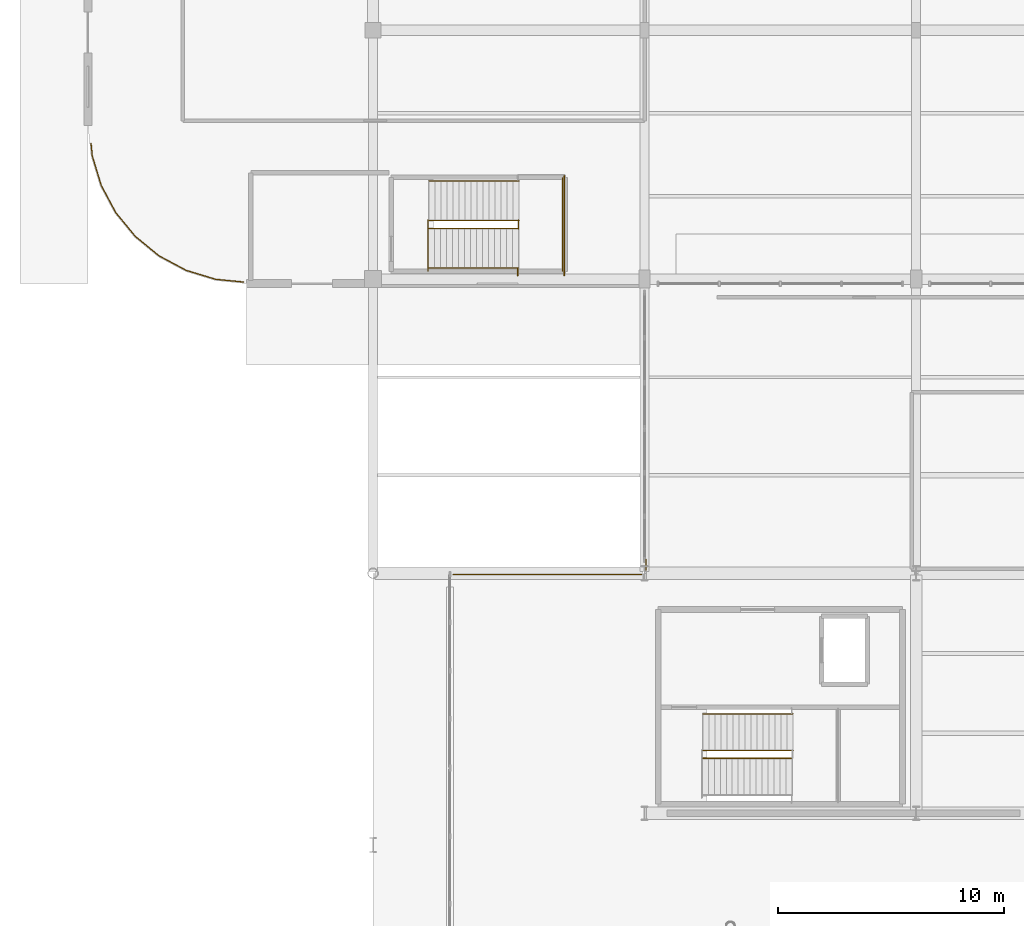
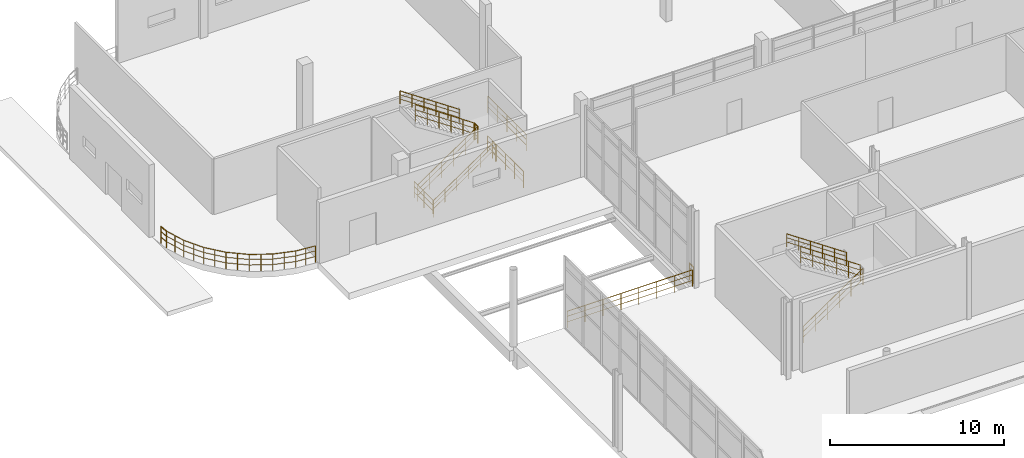
# One storey, part 74 of 85: 22 railings.
"""IFC4 building model written with IfcOpenShell, lengths in metres."""

from ifc_helpers import new_model, si_unit, direction, frame, origin, origin_2d, place, context, subcontext, project, spatial, circle, extrude, material, layer, layer_set, type_object, element, save


model = new_model("IFC4")

# Units and contexts
model_context = context("Model", 3, precision=1e-05, world=origin(), true_north=direction((0.0, 1.0)))
body_context = subcontext(model_context, "Body", "Model", "MODEL_VIEW")
ifc_project = project(units=[si_unit("LENGTHUNIT", "METRE"), si_unit("AREAUNIT", "SQUARE_METRE"), si_unit("VOLUMEUNIT", "CUBIC_METRE"), si_unit("PLANEANGLEUNIT", "RADIAN"), si_unit("MASSUNIT", "GRAM", prefix="KILO"), si_unit("THERMODYNAMICTEMPERATUREUNIT", "KELVIN"), si_unit("POWERUNIT", "WATT")], contexts=[model_context])

# Site, building, storey
site_placement = place(None, origin())
site = spatial("IfcSite", under=ifc_project, at=site_placement, CompositionType="ELEMENT")
building_placement = place(site_placement, origin())
building = spatial("IfcBuilding", under=site, at=building_placement, Name="Solmara Park Aquatics Centre", CompositionType="ELEMENT")
storey_placement = place(building_placement, origin())
storey = spatial("IfcBuildingStorey", under=building, at=storey_placement, Name="L00", CompositionType="ELEMENT", Elevation=0.0)

# Railings
ifc_material_1 = material(Name="Brushed Marine-Grade Stainless Steel 316L Handrail", Category="steel")
ifc_layer_1 = layer(ifc_material_1, 0.044921875, Name="Brushed Marine-Grade Stainless Steel 316L Handrail")
ifc_layer_set_1 = layer_set([ifc_layer_1], Name="Brushed Marine-Grade Stainless Steel 316L Handrail")
railing_type_1 = type_object("IfcRailingType", Name="ARC-RL-HND090", PredefinedType="HANDRAIL", material=ifc_layer_set_1)
railing_1_placement = place(storey_placement, frame((31.155029296875, 66.389892578125, 2.868896484375)))
element("IfcRailing", 1, at=railing_1_placement, inside=storey, type_object=railing_type_1, Name="ST-04 Protected Exit Stair (L00 to L01) Flight 2 Outer Handrail", PredefinedType="HANDRAIL", context=body_context, shape_type="SweptSolid", body=[
    extrude(circle(Radius=0.02392578125, at=origin_2d()), frame((0.0, 0.0, 0.89599609375), z_axis=(-0.827227830126, 0.0, 0.561866636369), x_axis=(0.0, -1.0, 0.0)), (0.0, 0.0, 1.0), 4.805419921875),
    extrude(circle(Radius=0.01416015625, at=origin_2d()), frame((0.0, 0.0, 0.322021484375), z_axis=(-0.827227830126, 0.0, 0.561866636369), x_axis=(0.0, -1.0, 0.0)), (0.0, 0.0, 1.0), 4.805419921875),
    extrude(circle(Radius=0.01416015625, at=origin_2d()), frame((0.0, 0.0, 0.62548828125), z_axis=(-0.827227830126, 0.0, 0.561866636369), x_axis=(0.0, -1.0, 0.0)), (0.0, 0.0, 1.0), 4.805419921875),
    extrude(circle(Radius=0.02099609375, at=origin_2d()), origin(), (0.0, 0.0, 1.0), 0.871826171875),
    extrude(circle(Radius=0.02099609375, at=origin_2d()), frame((-0.794921875, 0.0, 0.5400390625)), (0.0, 0.0, 1.0), 0.871826171875),
    extrude(circle(Radius=0.02099609375, at=origin_2d()), frame((-1.590087890625, 0.0, 1.080078125)), (0.0, 0.0, 1.0), 0.871826171875),
    extrude(circle(Radius=0.02099609375, at=origin_2d()), frame((-2.385009765625, 0.0, 1.619873046875)), (0.0, 0.0, 1.0), 0.871826171875),
    extrude(circle(Radius=0.02099609375, at=origin_2d()), frame((-3.18017578125, 0.0, 2.159912109375)), (0.0, 0.0, 1.0), 0.871826171875),
    extrude(circle(Radius=0.02099609375, at=origin_2d()), frame((-3.97509765625, 0.0, 2.699951171875)), (0.0, 0.0, 1.0), 0.871826171875),
])
railing_2_placement = place(storey_placement, frame((15.050048828125, 86.10009765625, 0.168701171875)))
element("IfcRailing", 2, at=railing_2_placement, inside=storey, type_object=railing_type_1, Name="West Changing Escape Stair ST-08 (L00-L01) Flight 1 Outer Handrail", PredefinedType="HANDRAIL", context=body_context, shape_type="SweptSolid", body=[
    extrude(circle(Radius=0.02392578125, at=origin_2d()), frame((0.0, 0.0, 0.89599609375), z_axis=(0.82718817395, 0.0, 0.56192501713), x_axis=(0.0, 1.0, 0.0)), (0.0, 0.0, 1.0), 4.80517578125),
    extrude(circle(Radius=0.01416015625, at=origin_2d()), frame((0.0, 0.0, 0.322021484375), z_axis=(0.82718817395, 0.0, 0.56192501713), x_axis=(0.0, 1.0, 0.0)), (0.0, 0.0, 1.0), 4.80517578125),
    extrude(circle(Radius=0.01416015625, at=origin_2d()), frame((0.0, 0.0, 0.62548828125), z_axis=(0.82718817395, 0.0, 0.56192501713), x_axis=(0.0, 1.0, 0.0)), (0.0, 0.0, 1.0), 4.80517578125),
    extrude(circle(Radius=0.02099609375, at=origin_2d()), origin(), (0.0, 0.0, 1.0), 0.871826171875),
    extrude(circle(Radius=0.02099609375, at=origin_2d()), frame((0.794921875, 0.0, 0.5400390625)), (0.0, 0.0, 1.0), 0.871826171875),
    extrude(circle(Radius=0.02099609375, at=origin_2d()), frame((1.58984375, 0.0, 1.080078125)), (0.0, 0.0, 1.0), 0.871826171875),
    extrude(circle(Radius=0.02099609375, at=origin_2d()), frame((2.385009765625, 0.0, 1.6201171875)), (0.0, 0.0, 1.0), 0.871826171875),
    extrude(circle(Radius=0.02099609375, at=origin_2d()), frame((3.179931640625, 0.0, 2.16015625)), (0.0, 0.0, 1.0), 0.871826171875),
    extrude(circle(Radius=0.02099609375, at=origin_2d()), frame((3.974853515625, 0.0, 2.7001953125)), (0.0, 0.0, 1.0), 0.871826171875),
])
railing_3_placement = place(storey_placement, frame((19.054931640625, 89.93994140625, 2.868896484375)))
element("IfcRailing", 3, at=railing_3_placement, inside=storey, type_object=railing_type_1, Name="West Changing Escape Stair ST-08 (L00-L01) Flight 2 Outer Handrail", PredefinedType="HANDRAIL", context=body_context, shape_type="SweptSolid", body=[
    extrude(circle(Radius=0.02392578125, at=origin_2d()), frame((0.0, 0.0, 0.89599609375), z_axis=(-0.827211789872, 0.0, 0.56189025147), x_axis=(0.0, -1.0, 0.0)), (0.0, 0.0, 1.0), 4.80517578125),
    extrude(circle(Radius=0.01416015625, at=origin_2d()), frame((0.0, 0.0, 0.322021484375), z_axis=(-0.827211789872, 0.0, 0.56189025147), x_axis=(0.0, -1.0, 0.0)), (0.0, 0.0, 1.0), 4.80517578125),
    extrude(circle(Radius=0.01416015625, at=origin_2d()), frame((0.0, 0.0, 0.62548828125), z_axis=(-0.827211789872, 0.0, 0.56189025147), x_axis=(0.0, -1.0, 0.0)), (0.0, 0.0, 1.0), 4.80517578125),
    extrude(circle(Radius=0.02099609375, at=origin_2d()), origin(), (0.0, 0.0, 1.0), 0.871826171875),
    extrude(circle(Radius=0.02099609375, at=origin_2d()), frame((-0.794921875, 0.0, 0.5400390625)), (0.0, 0.0, 1.0), 0.871826171875),
    extrude(circle(Radius=0.02099609375, at=origin_2d()), frame((-1.58984375, 0.0, 1.080078125)), (0.0, 0.0, 1.0), 0.871826171875),
    extrude(circle(Radius=0.02099609375, at=origin_2d()), frame((-2.385009765625, 0.0, 1.619873046875)), (0.0, 0.0, 1.0), 0.871826171875),
    extrude(circle(Radius=0.02099609375, at=origin_2d()), frame((-3.179931640625, 0.0, 2.159912109375)), (0.0, 0.0, 1.0), 0.871826171875),
    extrude(circle(Radius=0.02099609375, at=origin_2d()), frame((-3.974853515625, 0.0, 2.699951171875)), (0.0, 0.0, 1.0), 0.871826171875),
])
ifc_material_2 = material(Name="Toughened Glass and Stainless Steel Stand Guardrail", Category="steel")
ifc_layer_2 = layer(ifc_material_2, 0.06005859375, Name="Toughened Glass and Stainless Steel Stand Guardrail")
ifc_layer_set_2 = layer_set([ifc_layer_2], Name="Toughened Glass and Stainless Steel Stand Guardrail")
railing_type_2 = type_object("IfcRailingType", Name="ARC-RL-STD110", PredefinedType="GUARDRAIL", material=ifc_layer_set_2)
railing_4_placement = place(storey_placement, frame((16.139892578125, 72.5400390625, 0.0)))
element("IfcRailing", 4, at=railing_4_placement, inside=storey, type_object=railing_type_2, Name="L00 Slab Edge Guardrail 001", PredefinedType="GUARDRAIL", context=body_context, shape_type="SweptSolid", body=[
    extrude(circle(Radius=0.02392578125, at=origin_2d()), frame((0.0, 0.0, 1.15576171875), z_axis=(1.0, 0.0, 0.0), x_axis=(0.0, 1.0, 0.0)), (0.0, 0.0, 1.0), 8.333740234375),
    extrude(circle(Radius=0.01416015625, at=origin_2d()), frame((0.0, 0.0, 0.4130859375), z_axis=(1.0, 0.0, 0.0), x_axis=(0.0, 1.0, 0.0)), (0.0, 0.0, 1.0), 8.333740234375),
    extrude(circle(Radius=0.01416015625, at=origin_2d()), frame((0.0, 0.0, 0.80224609375), z_axis=(1.0, 0.0, 0.0), x_axis=(0.0, 1.0, 0.0)), (0.0, 0.0, 1.0), 8.333740234375),
    extrude(circle(Radius=0.02099609375, at=origin_2d()), origin(), (0.0, 0.0, 1.0), 1.1318359375),
    extrude(circle(Radius=0.02099609375, at=origin_2d()), frame((1.1904296875, 0.0, 0.0)), (0.0, 0.0, 1.0), 1.1318359375),
    extrude(circle(Radius=0.02099609375, at=origin_2d()), frame((2.381103515625, 0.0, 0.0)), (0.0, 0.0, 1.0), 1.1318359375),
    extrude(circle(Radius=0.02099609375, at=origin_2d()), frame((3.571533203125, 0.0, 0.0)), (0.0, 0.0, 1.0), 1.1318359375),
    extrude(circle(Radius=0.02099609375, at=origin_2d()), frame((4.76220703125, 0.0, 0.0)), (0.0, 0.0, 1.0), 1.1318359375),
    extrude(circle(Radius=0.02099609375, at=origin_2d()), frame((5.95263671875, 0.0, 0.0)), (0.0, 0.0, 1.0), 1.1318359375),
    extrude(circle(Radius=0.02099609375, at=origin_2d()), frame((7.143310546875, 0.0, 0.0)), (0.0, 0.0, 1.0), 1.1318359375),
    extrude(circle(Radius=0.02099609375, at=origin_2d()), frame((8.333740234375, 0.0, 0.0)), (0.0, 0.0, 1.0), 1.1318359375),
])
railing_5_placement = place(storey_placement, frame((6.880126953125, 85.47216796875, 0.0)))
element("IfcRailing", 5, at=railing_5_placement, inside=storey, type_object=railing_type_2, Name="L00 Slab Edge Guardrail 019", PredefinedType="GUARDRAIL", context=body_context, shape_type="SweptSolid", body=[
    extrude(circle(Radius=0.02392578125, at=origin_2d()), frame((0.0, 0.0, 1.15576171875), z_axis=(-0.995199611942, 0.097865889817, 0.0), x_axis=(-0.097865889817, -0.995199611942, 0.0)), (0.0, 0.0, 1.0), 1.23974609375),
    extrude(circle(Radius=0.01416015625, at=origin_2d()), frame((0.0, 0.0, 0.4130859375), z_axis=(-0.995199611942, 0.097865889817, 0.0), x_axis=(-0.097865889817, -0.995199611942, 0.0)), (0.0, 0.0, 1.0), 1.23974609375),
    extrude(circle(Radius=0.01416015625, at=origin_2d()), frame((0.0, 0.0, 0.80224609375), z_axis=(-0.995199611942, 0.097865889817, 0.0), x_axis=(-0.097865889817, -0.995199611942, 0.0)), (0.0, 0.0, 1.0), 1.23974609375),
    extrude(circle(Radius=0.02099609375, at=origin_2d()), origin(), (0.0, 0.0, 1.0), 1.1318359375),
    extrude(circle(Radius=0.02099609375, at=origin_2d()), frame((-0.616943359375, 0.060546875, 0.0)), (0.0, 0.0, 1.0), 1.1318359375),
    extrude(circle(Radius=0.02099609375, at=origin_2d()), frame((-1.23388671875, 0.121337890625, 0.0)), (0.0, 0.0, 1.0), 1.1318359375),
])
railing_6_placement = place(storey_placement, frame((5.646240234375, 85.593505859375, 0.0)))
element("IfcRailing", 6, at=railing_6_placement, inside=storey, type_object=railing_type_2, Name="L00 Slab Edge Guardrail 020", PredefinedType="GUARDRAIL", context=body_context, shape_type="SweptSolid", body=[
    extrude(circle(Radius=0.02392578125, at=origin_2d()), frame((0.0, 0.0, 1.15576171875), z_axis=(-0.956927767247, 0.29032610677, 0.0), x_axis=(-0.29032610677, -0.956927767247, 0.0)), (0.0, 0.0, 1.0), 1.360595703125),
    extrude(circle(Radius=0.01416015625, at=origin_2d()), frame((0.0, 0.0, 0.4130859375), z_axis=(-0.956927767247, 0.29032610677, 0.0), x_axis=(-0.29032610677, -0.956927767247, 0.0)), (0.0, 0.0, 1.0), 1.360595703125),
    extrude(circle(Radius=0.01416015625, at=origin_2d()), frame((0.0, 0.0, 0.80224609375), z_axis=(-0.956927767247, 0.29032610677, 0.0), x_axis=(-0.29032610677, -0.956927767247, 0.0)), (0.0, 0.0, 1.0), 1.360595703125),
    extrude(circle(Radius=0.02099609375, at=origin_2d()), origin(), (0.0, 0.0, 1.0), 1.1318359375),
    extrude(circle(Radius=0.02099609375, at=origin_2d()), frame((-0.65087890625, 0.197509765625, 0.0)), (0.0, 0.0, 1.0), 1.1318359375),
    extrude(circle(Radius=0.02099609375, at=origin_2d()), frame((-1.302001953125, 0.39501953125, 0.0)), (0.0, 0.0, 1.0), 1.1318359375),
])
railing_7_placement = place(storey_placement, frame((4.34423828125, 85.988525390625, 0.0)))
element("IfcRailing", 7, at=railing_7_placement, inside=storey, type_object=railing_type_2, Name="L00 Slab Edge Guardrail 021", PredefinedType="GUARDRAIL", context=body_context, shape_type="SweptSolid", body=[
    extrude(circle(Radius=0.02392578125, at=origin_2d()), frame((0.0, 0.0, 1.15576171875), z_axis=(-0.881890502495, 0.47145428369, 0.0), x_axis=(-0.47145428369, -0.881890502495, 0.0)), (0.0, 0.0, 1.0), 1.3603515625),
    extrude(circle(Radius=0.01416015625, at=origin_2d()), frame((0.0, 0.0, 0.4130859375), z_axis=(-0.881890502495, 0.47145428369, 0.0), x_axis=(-0.47145428369, -0.881890502495, 0.0)), (0.0, 0.0, 1.0), 1.3603515625),
    extrude(circle(Radius=0.01416015625, at=origin_2d()), frame((0.0, 0.0, 0.80224609375), z_axis=(-0.881890502495, 0.47145428369, 0.0), x_axis=(-0.47145428369, -0.881890502495, 0.0)), (0.0, 0.0, 1.0), 1.3603515625),
    extrude(circle(Radius=0.02099609375, at=origin_2d()), origin(), (0.0, 0.0, 1.0), 1.1318359375),
    extrude(circle(Radius=0.02099609375, at=origin_2d()), frame((-0.599853515625, 0.32080078125, 0.0)), (0.0, 0.0, 1.0), 1.1318359375),
    extrude(circle(Radius=0.02099609375, at=origin_2d()), frame((-1.19970703125, 0.641357421875, 0.0)), (0.0, 0.0, 1.0), 1.1318359375),
])
railing_8_placement = place(storey_placement, frame((3.14453125, 86.6298828125, 0.0)))
element("IfcRailing", 8, at=railing_8_placement, inside=storey, type_object=railing_type_2, Name="L00 Slab Edge Guardrail 022", PredefinedType="GUARDRAIL", context=body_context, shape_type="SweptSolid", body=[
    extrude(circle(Radius=0.02392578125, at=origin_2d()), frame((0.0, 0.0, 1.15576171875), z_axis=(-0.772980841347, 0.634429364792, 0.0), x_axis=(-0.634429364792, -0.772980841347, 0.0)), (0.0, 0.0, 1.0), 1.3603515625),
    extrude(circle(Radius=0.01416015625, at=origin_2d()), frame((0.0, 0.0, 0.4130859375), z_axis=(-0.772980841347, 0.634429364792, 0.0), x_axis=(-0.634429364792, -0.772980841347, 0.0)), (0.0, 0.0, 1.0), 1.3603515625),
    extrude(circle(Radius=0.01416015625, at=origin_2d()), frame((0.0, 0.0, 0.80224609375), z_axis=(-0.772980841347, 0.634429364792, 0.0), x_axis=(-0.634429364792, -0.772980841347, 0.0)), (0.0, 0.0, 1.0), 1.3603515625),
    extrude(circle(Radius=0.02099609375, at=origin_2d()), origin(), (0.0, 0.0, 1.0), 1.1318359375),
    extrude(circle(Radius=0.02099609375, at=origin_2d()), frame((-0.52587890625, 0.431640625, 0.0)), (0.0, 0.0, 1.0), 1.1318359375),
    extrude(circle(Radius=0.02099609375, at=origin_2d()), frame((-1.051513671875, 0.863037109375, 0.0)), (0.0, 0.0, 1.0), 1.1318359375),
])
railing_9_placement = place(storey_placement, frame((2.093017578125, 87.492919921875, 0.0)))
element("IfcRailing", 9, at=railing_9_placement, inside=storey, type_object=railing_type_2, Name="L00 Slab Edge Guardrail 023", PredefinedType="GUARDRAIL", context=body_context, shape_type="SweptSolid", body=[
    extrude(circle(Radius=0.02392578125, at=origin_2d()), frame((0.0, 0.0, 1.15576171875), z_axis=(-0.634536580186, 0.772892831126, 0.0), x_axis=(-0.772892831126, -0.634536580186, 0.0)), (0.0, 0.0, 1.0), 1.360595703125),
    extrude(circle(Radius=0.01416015625, at=origin_2d()), frame((0.0, 0.0, 0.4130859375), z_axis=(-0.634536580186, 0.772892831126, 0.0), x_axis=(-0.772892831126, -0.634536580186, 0.0)), (0.0, 0.0, 1.0), 1.360595703125),
    extrude(circle(Radius=0.01416015625, at=origin_2d()), frame((0.0, 0.0, 0.80224609375), z_axis=(-0.634536580186, 0.772892831126, 0.0), x_axis=(-0.772892831126, -0.634536580186, 0.0)), (0.0, 0.0, 1.0), 1.360595703125),
    extrude(circle(Radius=0.02099609375, at=origin_2d()), origin(), (0.0, 0.0, 1.0), 1.1318359375),
    extrude(circle(Radius=0.02099609375, at=origin_2d()), frame((-0.431640625, 0.52587890625, 0.0)), (0.0, 0.0, 1.0), 1.1318359375),
    extrude(circle(Radius=0.02099609375, at=origin_2d()), frame((-0.86328125, 1.051513671875, 0.0)), (0.0, 0.0, 1.0), 1.1318359375),
])
railing_10_placement = place(storey_placement, frame((1.229736328125, 88.54443359375, 0.0)))
element("IfcRailing", 10, at=railing_10_placement, inside=storey, type_object=railing_type_2, Name="L00 Slab Edge Guardrail 024", PredefinedType="GUARDRAIL", context=body_context, shape_type="SweptSolid", body=[
    extrude(circle(Radius=0.02392578125, at=origin_2d()), frame((0.0, 0.0, 1.15576171875), z_axis=(-0.471379677501, 0.881930382535, 0.0), x_axis=(-0.881930382535, -0.471379677501, 0.0)), (0.0, 0.0, 1.0), 1.360595703125),
    extrude(circle(Radius=0.01416015625, at=origin_2d()), frame((0.0, 0.0, 0.4130859375), z_axis=(-0.471379677501, 0.881930382535, 0.0), x_axis=(-0.881930382535, -0.471379677501, 0.0)), (0.0, 0.0, 1.0), 1.360595703125),
    extrude(circle(Radius=0.01416015625, at=origin_2d()), frame((0.0, 0.0, 0.80224609375), z_axis=(-0.471379677501, 0.881930382535, 0.0), x_axis=(-0.881930382535, -0.471379677501, 0.0)), (0.0, 0.0, 1.0), 1.360595703125),
    extrude(circle(Radius=0.02099609375, at=origin_2d()), origin(), (0.0, 0.0, 1.0), 1.1318359375),
    extrude(circle(Radius=0.02099609375, at=origin_2d()), frame((-0.32080078125, 0.60009765625, 0.0)), (0.0, 0.0, 1.0), 1.1318359375),
    extrude(circle(Radius=0.02099609375, at=origin_2d()), frame((-0.641357421875, 1.199951171875, 0.0)), (0.0, 0.0, 1.0), 1.1318359375),
])
railing_11_placement = place(storey_placement, frame((0.58837890625, 89.744384765625, 0.0)))
element("IfcRailing", 11, at=railing_11_placement, inside=storey, type_object=railing_type_2, Name="L00 Slab Edge Guardrail 025", PredefinedType="GUARDRAIL", context=body_context, shape_type="SweptSolid", body=[
    extrude(circle(Radius=0.02392578125, at=origin_2d()), frame((0.0, 0.0, 1.15576171875), z_axis=(-0.290211619235, 0.956962494595, 0.0), x_axis=(-0.956962494595, -0.290211619235, 0.0)), (0.0, 0.0, 1.0), 1.3603515625),
    extrude(circle(Radius=0.01416015625, at=origin_2d()), frame((0.0, 0.0, 0.4130859375), z_axis=(-0.290211619235, 0.956962494595, 0.0), x_axis=(-0.956962494595, -0.290211619235, 0.0)), (0.0, 0.0, 1.0), 1.3603515625),
    extrude(circle(Radius=0.01416015625, at=origin_2d()), frame((0.0, 0.0, 0.80224609375), z_axis=(-0.290211619235, 0.956962494595, 0.0), x_axis=(-0.956962494595, -0.290211619235, 0.0)), (0.0, 0.0, 1.0), 1.3603515625),
    extrude(circle(Radius=0.02099609375, at=origin_2d()), origin(), (0.0, 0.0, 1.0), 1.1318359375),
    extrude(circle(Radius=0.02099609375, at=origin_2d()), frame((-0.197265625, 0.65087890625, 0.0)), (0.0, 0.0, 1.0), 1.1318359375),
    extrude(circle(Radius=0.02099609375, at=origin_2d()), frame((-0.394775390625, 1.3017578125, 0.0)), (0.0, 0.0, 1.0), 1.1318359375),
])
railing_12_placement = place(storey_placement, frame((0.193603515625, 91.046142578125, 0.0)))
element("IfcRailing", 12, at=railing_12_placement, inside=storey, type_object=railing_type_2, Name="L00 Slab Edge Guardrail 026", PredefinedType="GUARDRAIL", context=body_context, shape_type="SweptSolid", body=[
    extrude(circle(Radius=0.02392578125, at=origin_2d()), frame((0.0, 0.0, 1.15576171875), z_axis=(-0.098134511483, 0.995173159634, 0.0), x_axis=(-0.995173159634, -0.098134511483, 0.0)), (0.0, 0.0, 1.0), 0.54736328125),
    extrude(circle(Radius=0.01416015625, at=origin_2d()), frame((0.0, 0.0, 0.4130859375), z_axis=(-0.098134511483, 0.995173159634, 0.0), x_axis=(-0.995173159634, -0.098134511483, 0.0)), (0.0, 0.0, 1.0), 0.54736328125),
    extrude(circle(Radius=0.01416015625, at=origin_2d()), frame((0.0, 0.0, 0.80224609375), z_axis=(-0.098134511483, 0.995173159634, 0.0), x_axis=(-0.995173159634, -0.098134511483, 0.0)), (0.0, 0.0, 1.0), 0.54736328125),
    extrude(circle(Radius=0.02099609375, at=origin_2d()), origin(), (0.0, 0.0, 1.0), 1.1318359375),
    extrude(circle(Radius=0.02099609375, at=origin_2d()), frame((-0.0537109375, 0.544677734375, 0.0)), (0.0, 0.0, 1.0), 1.1318359375),
])
railing_13_placement = place(storey_placement, frame((24.659912109375, 72.739990234375, 0.0)))
element("IfcRailing", 13, at=railing_13_placement, inside=storey, type_object=railing_type_2, Name="L00 Slab Edge Guardrail 027", PredefinedType="GUARDRAIL", context=body_context, shape_type="SweptSolid", body=[
    extrude(circle(Radius=0.02392578125, at=origin_2d()), frame((0.0, 0.0, 1.15576171875), z_axis=(0.0, 1.0, 0.0), x_axis=(-1.0, 0.0, 0.0)), (0.0, 0.0, 1.0), 0.47998046875),
    extrude(circle(Radius=0.01416015625, at=origin_2d()), frame((0.0, 0.0, 0.4130859375), z_axis=(0.0, 1.0, 0.0), x_axis=(-1.0, 0.0, 0.0)), (0.0, 0.0, 1.0), 0.47998046875),
    extrude(circle(Radius=0.01416015625, at=origin_2d()), frame((0.0, 0.0, 0.80224609375), z_axis=(0.0, 1.0, 0.0), x_axis=(-1.0, 0.0, 0.0)), (0.0, 0.0, 1.0), 0.47998046875),
    extrude(circle(Radius=0.02099609375, at=origin_2d()), origin(), (0.0, 0.0, 1.0), 1.1318359375),
    extrude(circle(Radius=0.02099609375, at=origin_2d()), frame((0.0, 0.47998046875, 0.0)), (0.0, 0.0, 1.0), 1.1318359375),
])
ifc_material_3 = material(Name="Brushed Stainless Steel Guardrail", Category="steel")
ifc_layer_3 = layer(ifc_material_3, 0.050048828125, Name="Brushed Stainless Steel Guardrail")
ifc_layer_set_3 = layer_set([ifc_layer_3], Name="Brushed Stainless Steel Guardrail")
railing_type_3 = type_object("IfcRailingType", Name="ARC-RL-STR110", PredefinedType="GUARDRAIL", material=ifc_layer_set_3)
railing_14_placement = place(storey_placement, frame((27.14990234375, 64.429931640625, 0.0)))
element("IfcRailing", 14, at=railing_14_placement, inside=storey, type_object=railing_type_3, Name="ST-04 Protected Exit Stair (L00 to L01) Flight 1 Inner Guardrail", PredefinedType="GUARDRAIL", context=body_context, shape_type="SweptSolid", body=[
    extrude(circle(Radius=0.02392578125, at=origin_2d()), frame((0.0, 0.0, 1.15576171875), z_axis=(0.827227830126, 0.0, 0.561866636369), x_axis=(0.0, 1.0, 0.0)), (0.0, 0.0, 1.0), 4.805419921875),
    extrude(circle(Radius=0.01416015625, at=origin_2d()), frame((0.0, 0.0, 0.4130859375), z_axis=(0.827227830126, 0.0, 0.561866636369), x_axis=(0.0, 1.0, 0.0)), (0.0, 0.0, 1.0), 4.805419921875),
    extrude(circle(Radius=0.01416015625, at=origin_2d()), frame((0.0, 0.0, 0.80224609375), z_axis=(0.827227830126, 0.0, 0.561866636369), x_axis=(0.0, 1.0, 0.0)), (0.0, 0.0, 1.0), 4.805419921875),
    extrude(circle(Radius=0.02099609375, at=origin_2d()), origin(), (0.0, 0.0, 1.0), 1.1318359375),
    extrude(circle(Radius=0.02099609375, at=origin_2d()), frame((0.794921875, 0.0, 0.5400390625)), (0.0, 0.0, 1.0), 1.1318359375),
    extrude(circle(Radius=0.02099609375, at=origin_2d()), frame((1.590087890625, 0.0, 1.080078125)), (0.0, 0.0, 1.0), 1.1318359375),
    extrude(circle(Radius=0.02099609375, at=origin_2d()), frame((2.385009765625, 0.0, 1.619873046875)), (0.0, 0.0, 1.0), 1.1318359375),
    extrude(circle(Radius=0.02099609375, at=origin_2d()), frame((3.18017578125, 0.0, 2.159912109375)), (0.0, 0.0, 1.0), 1.1318359375),
    extrude(circle(Radius=0.02099609375, at=origin_2d()), frame((3.97509765625, 0.0, 2.699951171875)), (0.0, 0.0, 1.0), 1.1318359375),
])
railing_15_placement = place(storey_placement, frame((31.155029296875, 64.77001953125, 2.699951171875)))
element("IfcRailing", 15, at=railing_15_placement, inside=storey, type_object=railing_type_3, Name="ST-04 Protected Exit Stair (L00 to L01) Flight 2 Inner Guardrail", PredefinedType="GUARDRAIL", context=body_context, shape_type="SweptSolid", body=[
    extrude(circle(Radius=0.02392578125, at=origin_2d()), frame((0.0, 0.0, 1.15576171875), z_axis=(-0.827227830126, 0.0, 0.561866636369), x_axis=(0.0, -1.0, 0.0)), (0.0, 0.0, 1.0), 4.805419921875),
    extrude(circle(Radius=0.01416015625, at=origin_2d()), frame((0.0, 0.0, 0.4130859375), z_axis=(-0.827227830126, 0.0, 0.561866636369), x_axis=(0.0, -1.0, 0.0)), (0.0, 0.0, 1.0), 4.805419921875),
    extrude(circle(Radius=0.01416015625, at=origin_2d()), frame((0.0, 0.0, 0.80224609375), z_axis=(-0.827227830126, 0.0, 0.561866636369), x_axis=(0.0, -1.0, 0.0)), (0.0, 0.0, 1.0), 4.805419921875),
    extrude(circle(Radius=0.02099609375, at=origin_2d()), origin(), (0.0, 0.0, 1.0), 1.1318359375),
    extrude(circle(Radius=0.02099609375, at=origin_2d()), frame((-0.794921875, 0.0, 0.5400390625)), (0.0, 0.0, 1.0), 1.1318359375),
    extrude(circle(Radius=0.02099609375, at=origin_2d()), frame((-1.590087890625, 0.0, 1.080078125)), (0.0, 0.0, 1.0), 1.1318359375),
    extrude(circle(Radius=0.02099609375, at=origin_2d()), frame((-2.385009765625, 0.0, 1.619873046875)), (0.0, 0.0, 1.0), 1.1318359375),
    extrude(circle(Radius=0.02099609375, at=origin_2d()), frame((-3.18017578125, 0.0, 2.159912109375)), (0.0, 0.0, 1.0), 1.1318359375),
    extrude(circle(Radius=0.02099609375, at=origin_2d()), frame((-3.97509765625, 0.0, 2.699951171875)), (0.0, 0.0, 1.0), 1.1318359375),
])
railing_16_placement = place(storey_placement, frame((15.030029296875, 85.9599609375, 0.0)))
element("IfcRailing", 16, at=railing_16_placement, inside=storey, type_object=railing_type_3, Name="West Changing Escape Stair ST-08 (B1-L00) Arrival Well Guardrail", PredefinedType="GUARDRAIL", context=body_context, shape_type="SweptSolid", body=[
    extrude(circle(Radius=0.02392578125, at=origin_2d()), frame((0.0, 0.0, 1.15576171875), z_axis=(0.0, 1.0, 0.0), x_axis=(-1.0, 0.0, 0.0)), (0.0, 0.0, 1.0), 2.260009765625),
    extrude(circle(Radius=0.01416015625, at=origin_2d()), frame((0.0, 0.0, 0.4130859375), z_axis=(0.0, 1.0, 0.0), x_axis=(-1.0, 0.0, 0.0)), (0.0, 0.0, 1.0), 2.260009765625),
    extrude(circle(Radius=0.01416015625, at=origin_2d()), frame((0.0, 0.0, 0.80224609375), z_axis=(0.0, 1.0, 0.0), x_axis=(-1.0, 0.0, 0.0)), (0.0, 0.0, 1.0), 2.260009765625),
    extrude(circle(Radius=0.02099609375, at=origin_2d()), origin(), (0.0, 0.0, 1.0), 1.1318359375),
    extrude(circle(Radius=0.02099609375, at=origin_2d()), frame((0.0, 1.1298828125, 0.0)), (0.0, 0.0, 1.0), 1.1318359375),
    extrude(circle(Radius=0.02099609375, at=origin_2d()), frame((0.0, 2.260009765625, 0.0)), (0.0, 0.0, 1.0), 1.1318359375),
])
railing_17_placement = place(storey_placement, frame((20.97998046875, 85.9599609375, 0.0)))
element("IfcRailing", 17, at=railing_17_placement, inside=storey, type_object=railing_type_3, Name="West Changing Escape Stair ST-08 (B1-L00) Far Well Edge Guardrail", PredefinedType="GUARDRAIL", context=body_context, shape_type="SweptSolid", body=[
    extrude(circle(Radius=0.02392578125, at=origin_2d()), frame((0.0, 0.0, 1.15576171875), z_axis=(0.0, 1.0, 0.0), x_axis=(-1.0, 0.0, 0.0)), (0.0, 0.0, 1.0), 4.1201171875),
    extrude(circle(Radius=0.01416015625, at=origin_2d()), frame((0.0, 0.0, 0.4130859375), z_axis=(0.0, 1.0, 0.0), x_axis=(-1.0, 0.0, 0.0)), (0.0, 0.0, 1.0), 4.1201171875),
    extrude(circle(Radius=0.01416015625, at=origin_2d()), frame((0.0, 0.0, 0.80224609375), z_axis=(0.0, 1.0, 0.0), x_axis=(-1.0, 0.0, 0.0)), (0.0, 0.0, 1.0), 4.1201171875),
    extrude(circle(Radius=0.02099609375, at=origin_2d()), origin(), (0.0, 0.0, 1.0), 1.1318359375),
    extrude(circle(Radius=0.02099609375, at=origin_2d()), frame((0.0, 1.030029296875, 0.0)), (0.0, 0.0, 1.0), 1.1318359375),
    extrude(circle(Radius=0.02099609375, at=origin_2d()), frame((0.0, 2.06005859375, 0.0)), (0.0, 0.0, 1.0), 1.1318359375),
    extrude(circle(Radius=0.02099609375, at=origin_2d()), frame((0.0, 3.090087890625, 0.0)), (0.0, 0.0, 1.0), 1.1318359375),
    extrude(circle(Radius=0.02099609375, at=origin_2d()), frame((0.0, 4.1201171875, 0.0)), (0.0, 0.0, 1.0), 1.1318359375),
])
railing_18_placement = place(storey_placement, frame((15.050048828125, 87.840087890625, 0.0)))
element("IfcRailing", 18, at=railing_18_placement, inside=storey, type_object=railing_type_3, Name="West Changing Escape Stair ST-08 (L00-L01) Flight 1 Inner Guardrail", PredefinedType="GUARDRAIL", context=body_context, shape_type="SweptSolid", body=[
    extrude(circle(Radius=0.02392578125, at=origin_2d()), frame((0.0, 0.0, 1.15576171875), z_axis=(0.827211789872, 0.0, 0.56189025147), x_axis=(0.0, 1.0, 0.0)), (0.0, 0.0, 1.0), 4.80517578125),
    extrude(circle(Radius=0.01416015625, at=origin_2d()), frame((0.0, 0.0, 0.4130859375), z_axis=(0.827211789872, 0.0, 0.56189025147), x_axis=(0.0, 1.0, 0.0)), (0.0, 0.0, 1.0), 4.80517578125),
    extrude(circle(Radius=0.01416015625, at=origin_2d()), frame((0.0, 0.0, 0.80224609375), z_axis=(0.827211789872, 0.0, 0.56189025147), x_axis=(0.0, 1.0, 0.0)), (0.0, 0.0, 1.0), 4.80517578125),
    extrude(circle(Radius=0.02099609375, at=origin_2d()), origin(), (0.0, 0.0, 1.0), 1.1318359375),
    extrude(circle(Radius=0.02099609375, at=origin_2d()), frame((0.794921875, 0.0, 0.5400390625)), (0.0, 0.0, 1.0), 1.1318359375),
    extrude(circle(Radius=0.02099609375, at=origin_2d()), frame((1.58984375, 0.0, 1.080078125)), (0.0, 0.0, 1.0), 1.1318359375),
    extrude(circle(Radius=0.02099609375, at=origin_2d()), frame((2.385009765625, 0.0, 1.619873046875)), (0.0, 0.0, 1.0), 1.1318359375),
    extrude(circle(Radius=0.02099609375, at=origin_2d()), frame((3.179931640625, 0.0, 2.159912109375)), (0.0, 0.0, 1.0), 1.1318359375),
    extrude(circle(Radius=0.02099609375, at=origin_2d()), frame((3.974853515625, 0.0, 2.699951171875)), (0.0, 0.0, 1.0), 1.1318359375),
])
railing_19_placement = place(storey_placement, frame((19.054931640625, 88.199951171875, 2.699951171875)))
element("IfcRailing", 19, at=railing_19_placement, inside=storey, type_object=railing_type_3, Name="West Changing Escape Stair ST-08 (L00-L01) Flight 2 Inner Guardrail", PredefinedType="GUARDRAIL", context=body_context, shape_type="SweptSolid", body=[
    extrude(circle(Radius=0.02392578125, at=origin_2d()), frame((0.0, 0.0, 1.15576171875), z_axis=(-0.827211789872, 0.0, 0.56189025147), x_axis=(0.0, -1.0, 0.0)), (0.0, 0.0, 1.0), 4.80517578125),
    extrude(circle(Radius=0.01416015625, at=origin_2d()), frame((0.0, 0.0, 0.4130859375), z_axis=(-0.827211789872, 0.0, 0.56189025147), x_axis=(0.0, -1.0, 0.0)), (0.0, 0.0, 1.0), 4.80517578125),
    extrude(circle(Radius=0.01416015625, at=origin_2d()), frame((0.0, 0.0, 0.80224609375), z_axis=(-0.827211789872, 0.0, 0.56189025147), x_axis=(0.0, -1.0, 0.0)), (0.0, 0.0, 1.0), 4.80517578125),
    extrude(circle(Radius=0.02099609375, at=origin_2d()), origin(), (0.0, 0.0, 1.0), 1.1318359375),
    extrude(circle(Radius=0.02099609375, at=origin_2d()), frame((-0.794921875, 0.0, 0.5400390625)), (0.0, 0.0, 1.0), 1.1318359375),
    extrude(circle(Radius=0.02099609375, at=origin_2d()), frame((-1.58984375, 0.0, 1.080078125)), (0.0, 0.0, 1.0), 1.1318359375),
    extrude(circle(Radius=0.02099609375, at=origin_2d()), frame((-2.385009765625, 0.0, 1.619873046875)), (0.0, 0.0, 1.0), 1.1318359375),
    extrude(circle(Radius=0.02099609375, at=origin_2d()), frame((-3.179931640625, 0.0, 2.159912109375)), (0.0, 0.0, 1.0), 1.1318359375),
    extrude(circle(Radius=0.02099609375, at=origin_2d()), frame((-3.974853515625, 0.0, 2.699951171875)), (0.0, 0.0, 1.0), 1.1318359375),
])
railing_20_placement = place(storey_placement, frame((19.02490234375, 87.820068359375, 2.699951171875)))
element("IfcRailing", 20, at=railing_20_placement, inside=storey, type_object=railing_type_3, Name="West Changing Escape Stair ST-08 (L00-L01) Half-Landing Well Guardrail", PredefinedType="GUARDRAIL", context=body_context, shape_type="SweptSolid", body=[
    extrude(circle(Radius=0.02392578125, at=origin_2d()), frame((0.0, 0.0, 1.15576171875), z_axis=(0.0, 1.0, 0.0), x_axis=(-1.0, 0.0, 0.0)), (0.0, 0.0, 1.0), 0.39990234375),
    extrude(circle(Radius=0.01416015625, at=origin_2d()), frame((0.0, 0.0, 0.4130859375), z_axis=(0.0, 1.0, 0.0), x_axis=(-1.0, 0.0, 0.0)), (0.0, 0.0, 1.0), 0.39990234375),
    extrude(circle(Radius=0.01416015625, at=origin_2d()), frame((0.0, 0.0, 0.80224609375), z_axis=(0.0, 1.0, 0.0), x_axis=(-1.0, 0.0, 0.0)), (0.0, 0.0, 1.0), 0.39990234375),
    extrude(circle(Radius=0.02099609375, at=origin_2d()), origin(), (0.0, 0.0, 1.0), 1.1318359375),
    extrude(circle(Radius=0.02099609375, at=origin_2d()), frame((0.0, 0.39990234375, 0.0)), (0.0, 0.0, 1.0), 1.1318359375),
])
railing_21_placement = place(storey_placement, frame((18.9951171875, 85.72998046875, 2.699951171875)))
element("IfcRailing", 21, at=railing_21_placement, inside=storey, type_object=railing_type_3, Name="West Changing Escape Stair ST-08 (L00-L01) Half-Landing South Slot Guardrail", PredefinedType="GUARDRAIL", context=body_context, shape_type="SweptSolid", body=[
    extrude(circle(Radius=0.02392578125, at=origin_2d()), frame((0.0, 0.0, 1.15576171875), z_axis=(0.0, 1.0, 0.0), x_axis=(-1.0, 0.0, 0.0)), (0.0, 0.0, 1.0), 0.360107421875),
    extrude(circle(Radius=0.01416015625, at=origin_2d()), frame((0.0, 0.0, 0.4130859375), z_axis=(0.0, 1.0, 0.0), x_axis=(-1.0, 0.0, 0.0)), (0.0, 0.0, 1.0), 0.360107421875),
    extrude(circle(Radius=0.01416015625, at=origin_2d()), frame((0.0, 0.0, 0.80224609375), z_axis=(0.0, 1.0, 0.0), x_axis=(-1.0, 0.0, 0.0)), (0.0, 0.0, 1.0), 0.360107421875),
    extrude(circle(Radius=0.02099609375, at=origin_2d()), origin(), (0.0, 0.0, 1.0), 1.1318359375),
    extrude(circle(Radius=0.02099609375, at=origin_2d()), frame((0.0, 0.360107421875, 0.0)), (0.0, 0.0, 1.0), 1.1318359375),
])
railing_22_placement = place(storey_placement, frame((21.050048828125, 85.75, 2.699951171875)))
element("IfcRailing", 22, at=railing_22_placement, inside=storey, type_object=railing_type_3, Name="West Changing Escape Stair ST-08 (L00-L01) Half-Landing Outer Guardrail", PredefinedType="GUARDRAIL", context=body_context, shape_type="SweptSolid", body=[
    extrude(circle(Radius=0.02392578125, at=origin_2d()), frame((0.0, 0.0, 1.15576171875), z_axis=(0.0, 1.0, 0.0), x_axis=(-1.0, 0.0, 0.0)), (0.0, 0.0, 1.0), 4.43994140625),
    extrude(circle(Radius=0.01416015625, at=origin_2d()), frame((0.0, 0.0, 0.4130859375), z_axis=(0.0, 1.0, 0.0), x_axis=(-1.0, 0.0, 0.0)), (0.0, 0.0, 1.0), 4.43994140625),
    extrude(circle(Radius=0.01416015625, at=origin_2d()), frame((0.0, 0.0, 0.80224609375), z_axis=(0.0, 1.0, 0.0), x_axis=(-1.0, 0.0, 0.0)), (0.0, 0.0, 1.0), 4.43994140625),
    extrude(circle(Radius=0.02099609375, at=origin_2d()), origin(), (0.0, 0.0, 1.0), 1.1318359375),
    extrude(circle(Radius=0.02099609375, at=origin_2d()), frame((0.0, 1.10986328125, 0.0)), (0.0, 0.0, 1.0), 1.1318359375),
    extrude(circle(Radius=0.02099609375, at=origin_2d()), frame((0.0, 2.219970703125, 0.0)), (0.0, 0.0, 1.0), 1.1318359375),
    extrude(circle(Radius=0.02099609375, at=origin_2d()), frame((0.0, 3.330078125, 0.0)), (0.0, 0.0, 1.0), 1.1318359375),
    extrude(circle(Radius=0.02099609375, at=origin_2d()), frame((0.0, 4.43994140625, 0.0)), (0.0, 0.0, 1.0), 1.1318359375),
])

save(model, "model.ifc")
